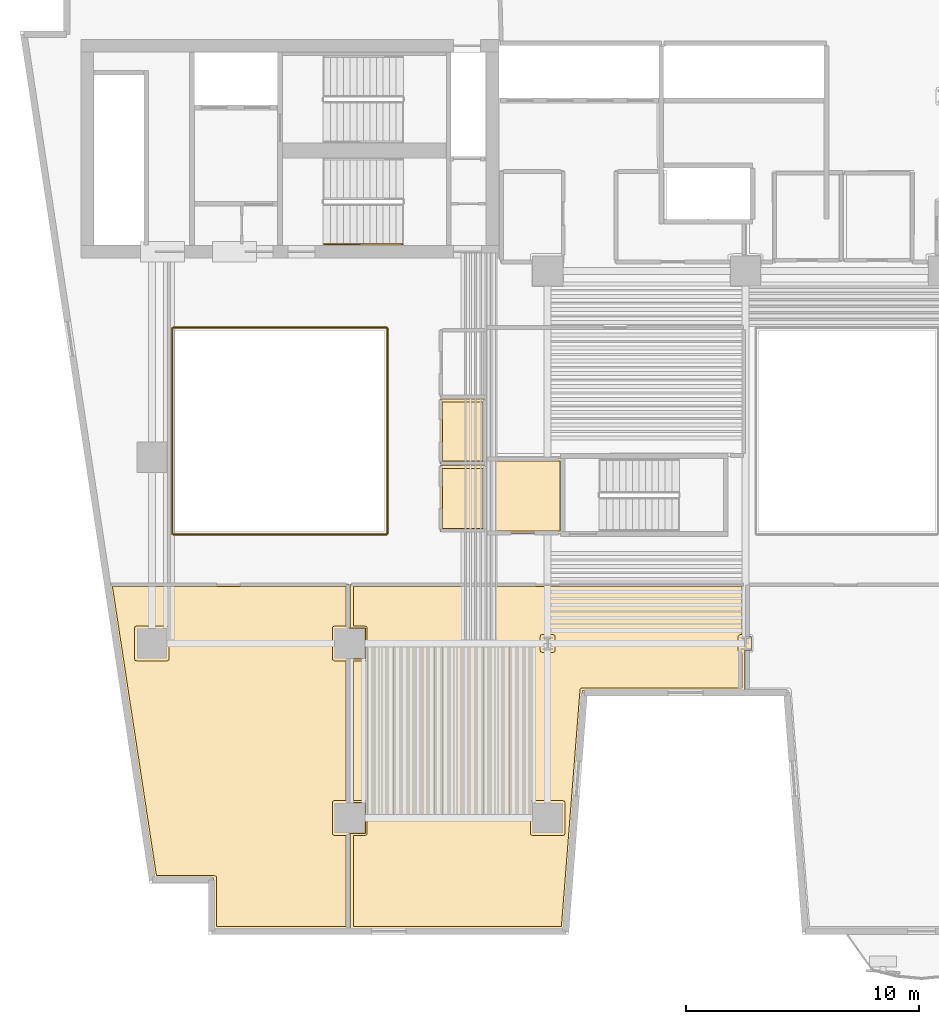
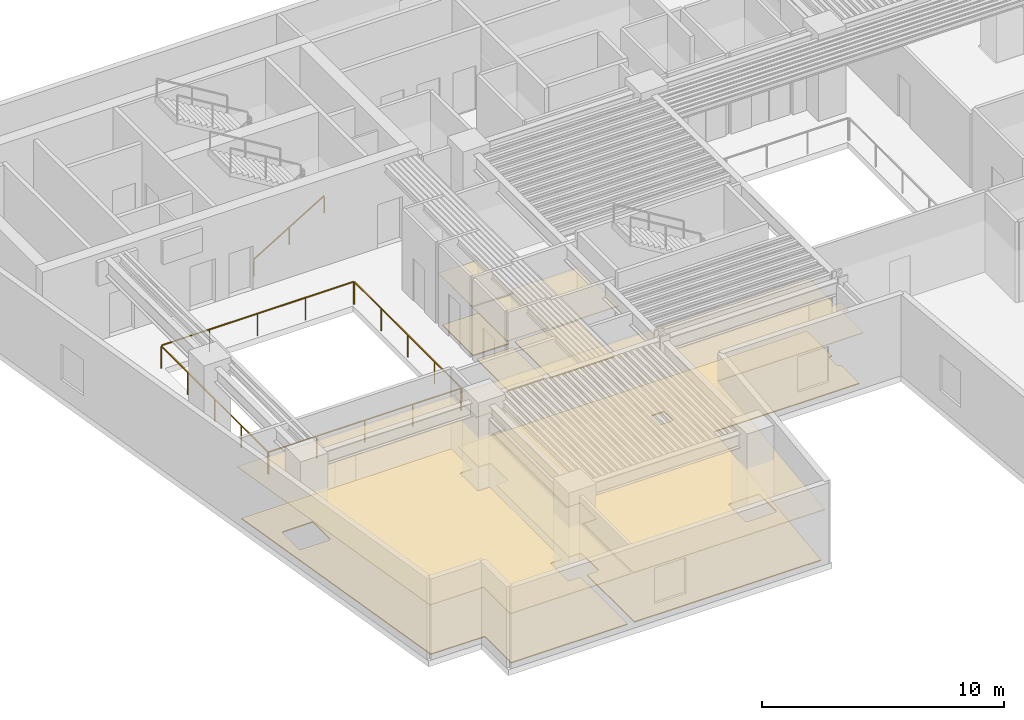
# One storey, part 8 of 12: 10 coverings, 5 railings.
"""IFC4 building model written with IfcOpenShell, lengths in metres."""

from ifc_helpers import new_model, si_unit, direction, frame, origin, origin_2d, place, context, subcontext, project, spatial, polyline, rectangle, outline, extrude, material, layer, layer_set, type_object, element, save


model = new_model("IFC4")

# Units and contexts
model_context = context("Model", 3, precision=1e-05, world=origin(), true_north=direction((0.0, 1.0)))
body_context = subcontext(model_context, "Body", "Model", "MODEL_VIEW")
ifc_project = project(units=[si_unit("LENGTHUNIT", "METRE"), si_unit("AREAUNIT", "SQUARE_METRE"), si_unit("VOLUMEUNIT", "CUBIC_METRE"), si_unit("PLANEANGLEUNIT", "RADIAN"), si_unit("MASSUNIT", "GRAM", prefix="KILO")], contexts=[model_context])

# Site, building, storey
site_placement = place(None, origin())
site = spatial("IfcSite", under=ifc_project, at=site_placement, CompositionType="ELEMENT")
building_placement = place(site_placement, origin())
building = spatial("IfcBuilding", under=site, at=building_placement, Name="Caeloran Harvest Quay", CompositionType="ELEMENT")
storey_placement = place(building_placement, frame((0.0, 0.0, 31.39990234375)))
storey = spatial("IfcBuildingStorey", under=building, at=storey_placement, Name="L07", CompositionType="ELEMENT", Elevation=31.39990234375)

# Coverings
ifc_material_1 = material(Name="Perforated Mineral-Fibre Acoustic Ceiling Tile", Category="ceiling")
ifc_layer_1 = layer(ifc_material_1, 0.0400390625, Name="Perforated Mineral-Fibre Acoustic Ceiling Tile")
ifc_layer_set_1 = layer_set([ifc_layer_1], Name="Perforated Mineral-Fibre Acoustic Ceiling Tile")
covering_type_1 = type_object("IfcCoveringType", Name="COV-CEILING-ACOUSTIC", PredefinedType="CEILING", material=ifc_layer_set_1)
covering_1_placement = place(storey_placement, frame((0.0, 0.0, 2.60009765625)))
element("IfcCovering", 1, at=covering_1_placement, inside=storey, type_object=covering_type_1, Name="L07 Female Washroom WC Acoustic Ceiling", PredefinedType="CEILING", context=body_context, shape_type="SweptSolid", body=[
    extrude(outline(polyline([(22.840087890625, 22.7099609375), (20.8701171875, 22.7099609375), (20.8701171875, 25.489990234375), (22.840087890625, 25.489990234375), (22.840087890625, 22.7099609375)])), origin(), (0.0, 0.0, 1.0), 0.0400390625),
])
covering_2_placement = place(storey_placement, frame((0.0, 0.0, 2.60009765625)))
element("IfcCovering", 2, at=covering_2_placement, inside=storey, type_object=covering_type_1, Name="L07 Accessible Unisex Washroom WC Acoustic Ceiling", PredefinedType="CEILING", context=body_context, shape_type="SweptSolid", body=[
    extrude(outline(polyline([(22.840087890625, 19.81005859375), (20.8701171875, 19.81005859375), (20.8701171875, 22.639892578125), (22.840087890625, 22.639892578125), (22.840087890625, 19.81005859375)])), origin(), (0.0, 0.0, 1.0), 0.0400390625),
])
covering_3_placement = place(storey_placement, frame((0.0, 0.0, 2.60009765625)))
element("IfcCovering", 3, at=covering_3_placement, inside=storey, type_object=covering_type_1, Name="Aeroponic Root-Mist Growing Chamber Acoustic Ceiling", PredefinedType="CEILING", context=body_context, shape_type="SweptSolid", body=[
    extrude(outline(polyline([(17.669921875, 6.830078125), (16.9599609375, 6.830078125), (16.9599609375, 2.719970703125), (11.156982421875, 2.719970703125), (11.156982421875, 4.919921875), (8.59130859375, 4.919921875), (6.668701171875, 17.56005859375), (16.9599609375, 17.56005859375), (16.9599609375, 15.669921875), (17.669921875, 15.669921875), (17.669921875, 14.330078125), (16.9599609375, 14.330078125), (16.9599609375, 8.169921875), (17.669921875, 8.169921875), (17.669921875, 6.830078125)])), origin(), (0.0, 0.0, 1.0), 0.0400390625),
])
covering_4_placement = place(storey_placement, frame((0.0, 0.0, 2.60009765625)))
element("IfcCovering", 4, at=covering_4_placement, inside=storey, type_object=covering_type_1, Name="Seedling Nursery Room Acoustic Ceiling", PredefinedType="CEILING", context=body_context, shape_type="SweptSolid", body=[
    extrude(outline(polyline([(16.330078125, 8.169921875), (17.0400390625, 8.169921875), (17.0400390625, 14.330078125), (16.330078125, 14.330078125), (16.330078125, 15.669921875), (17.0400390625, 15.669921875), (17.0400390625, 17.56005859375), (33.9599609375, 17.56005859375), (33.9599609375, 15.304443359375), (34.2470703125, 15.304443359375), (34.2470703125, 14.695556640625), (33.9599609375, 14.695556640625), (33.9599609375, 12.969970703125), (26.99951171875, 12.969970703125), (26.199462890625, 2.719970703125), (17.0400390625, 2.719970703125), (17.0400390625, 6.830078125), (16.330078125, 6.830078125), (16.330078125, 8.169921875)])), origin(), (0.0, 0.0, 1.0), 0.0400390625),
])
covering_5_placement = place(storey_placement, frame((0.0, 0.0, 2.60009765625)))
element("IfcCovering", 5, at=covering_5_placement, inside=storey, type_object=covering_type_1, Name="Agronomist Office Acoustic Ceiling", PredefinedType="CEILING", context=body_context, shape_type="SweptSolid", body=[
    extrude(outline(polyline([(26.139892578125, 22.9599609375), (26.139892578125, 19.7099609375), (22.8701171875, 19.7099609375), (22.8701171875, 22.9599609375), (26.139892578125, 22.9599609375)])), origin(), (0.0, 0.0, 1.0), 0.0400390625),
])
ifc_material_2 = material(Name="Calcium-Sulphate Raised Access Floor and Terrazzo Finish", Category="flooring")
ifc_layer_2 = layer(ifc_material_2, 0.050048828125, Name="Calcium-Sulphate Raised Access Floor and Terrazzo Finish")
ifc_layer_set_2 = layer_set([ifc_layer_2], Name="Calcium-Sulphate Raised Access Floor and Terrazzo Finish")
covering_type_2 = type_object("IfcCoveringType", Name="COV-FLOOR-RAISED", PredefinedType="FLOORING", material=ifc_layer_set_2)
covering_6_placement = place(storey_placement, origin())
element("IfcCovering", 6, at=covering_6_placement, inside=storey, type_object=covering_type_2, Name="L07 Female Washroom WC Raised Finish Flooring", PredefinedType="FLOORING", context=body_context, shape_type="SweptSolid", body=[
    extrude(outline(polyline([(22.719970703125, 22.830078125), (20.989990234375, 22.830078125), (20.989990234375, 25.3701171875), (22.719970703125, 25.3701171875), (22.719970703125, 22.830078125)])), origin(), (0.0, 0.0, 1.0), 0.050048828125),
])
covering_7_placement = place(storey_placement, origin())
element("IfcCovering", 7, at=covering_7_placement, inside=storey, type_object=covering_type_2, Name="L07 Accessible Unisex Washroom WC Raised Finish Flooring", PredefinedType="FLOORING", context=body_context, shape_type="SweptSolid", body=[
    extrude(outline(polyline([(22.719970703125, 19.929931640625), (20.989990234375, 19.929931640625), (20.989990234375, 22.52001953125), (22.719970703125, 22.52001953125), (22.719970703125, 19.929931640625)])), origin(), (0.0, 0.0, 1.0), 0.050048828125),
])
covering_8_placement = place(storey_placement, origin())
element("IfcCovering", 8, at=covering_8_placement, inside=storey, type_object=covering_type_2, Name="Aeroponic Root-Mist Growing Chamber Raised Finish Flooring", PredefinedType="FLOORING", context=body_context, shape_type="SweptSolid", body=[
    extrude(outline(polyline([(16.840087890625, 17.43994140625), (16.840087890625, 15.7451171875), (16.3271484375, 15.74462890625), (16.273193359375, 15.7158203125), (16.2548828125, 15.6650390625), (16.260986328125, 14.304443359375), (16.3271484375, 14.25537109375), (16.840087890625, 14.2548828125), (16.840087890625, 8.2451171875), (16.3271484375, 8.24462890625), (16.273193359375, 8.2158203125), (16.2548828125, 8.1650390625), (16.260986328125, 6.804443359375), (16.3271484375, 6.75537109375), (16.840087890625, 6.7548828125), (16.840087890625, 2.840087890625), (11.277099609375, 2.840087890625), (11.277099609375, 4.9599609375), (11.247802734375, 5.021728515625), (8.694580078125, 5.0400390625), (6.80810546875, 17.43994140625), (16.840087890625, 17.43994140625)]), holes=[polyline([(9.2451171875, 15.6650390625), (9.2216796875, 15.7216796875), (9.1650390625, 15.7451171875), (7.8349609375, 15.7451171875), (7.7783203125, 15.7216796875), (7.7548828125, 15.6650390625), (7.7548828125, 14.3349609375), (7.7783203125, 14.2783203125), (7.8349609375, 14.2548828125), (9.1650390625, 14.2548828125), (9.2216796875, 14.2783203125), (9.2451171875, 14.3349609375), (9.2451171875, 15.6650390625)])]), origin(), (0.0, 0.0, 1.0), 0.050048828125),
])
covering_9_placement = place(storey_placement, origin())
element("IfcCovering", 9, at=covering_9_placement, inside=storey, type_object=covering_type_2, Name="Seedling Nursery Room Raised Finish Flooring", PredefinedType="FLOORING", context=body_context, shape_type="SweptSolid", body=[
    extrude(outline(polyline([(33.840087890625, 17.43994140625), (33.840087890625, 15.37939453125), (33.72021484375, 15.3701171875), (33.677978515625, 15.299560546875), (33.679443359375, 14.684814453125), (33.727294921875, 14.626708984375), (33.840087890625, 14.62060546875), (33.840087890625, 13.090087890625), (26.96240234375, 13.090087890625), (26.891357421875, 13.046630859375), (26.08837890625, 2.840087890625), (17.159912109375, 2.840087890625), (17.159912109375, 6.7548828125), (17.6728515625, 6.75537109375), (17.726806640625, 6.7841796875), (17.7451171875, 6.8349609375), (17.739013671875, 8.195556640625), (17.6728515625, 8.24462890625), (17.159912109375, 8.2451171875), (17.159912109375, 14.2548828125), (17.6728515625, 14.25537109375), (17.726806640625, 14.2841796875), (17.7451171875, 14.3349609375), (17.739013671875, 15.695556640625), (17.6728515625, 15.74462890625), (17.159912109375, 15.7451171875), (17.159912109375, 17.43994140625), (33.840087890625, 17.43994140625)]), holes=[polyline([(26.2451171875, 8.1650390625), (26.2216796875, 8.2216796875), (26.1650390625, 8.2451171875), (24.8349609375, 8.2451171875), (24.7783203125, 8.2216796875), (24.7548828125, 8.1650390625), (24.7548828125, 6.8349609375), (24.7783203125, 6.7783203125), (24.8349609375, 6.7548828125), (26.1650390625, 6.7548828125), (26.2216796875, 6.7783203125), (26.2451171875, 6.8349609375), (26.2451171875, 8.1650390625)]), polyline([(25.822021484375, 14.700439453125), (25.8037109375, 15.350341796875), (25.749755859375, 15.379150390625), (25.258056640625, 15.37939453125), (25.201416015625, 15.356201171875), (25.177978515625, 15.299560546875), (25.177978515625, 14.700439453125), (25.201416015625, 14.643798828125), (25.258056640625, 14.62060546875), (25.741943359375, 14.62060546875), (25.798583984375, 14.643798828125), (25.822021484375, 14.700439453125)])]), origin(), (0.0, 0.0, 1.0), 0.050048828125),
])
covering_10_placement = place(storey_placement, origin())
element("IfcCovering", 10, at=covering_10_placement, inside=storey, type_object=covering_type_2, Name="Agronomist Office Raised Finish Flooring", PredefinedType="FLOORING", context=body_context, shape_type="SweptSolid", body=[
    extrude(outline(polyline([(26.02001953125, 22.840087890625), (26.02001953125, 19.830078125), (22.989990234375, 19.830078125), (22.989990234375, 22.840087890625), (26.02001953125, 22.840087890625)])), origin(), (0.0, 0.0, 1.0), 0.050048828125),
])

# Railings
ifc_material_3 = material(Name="Powder-Coated Steel Post and Laminated Glass Guardrail", Category="steel")
ifc_layer_3 = layer(ifc_material_3, 0.06005859375, Name="Powder-Coated Steel Post and Laminated Glass Guardrail")
ifc_layer_set_3 = layer_set([ifc_layer_3], Name="Powder-Coated Steel Post and Laminated Glass Guardrail")
railing_type_1 = type_object("IfcRailingType", Name="GUARD-ATRIUM-1150", PredefinedType="GUARDRAIL", material=ifc_layer_set_3)
railing_1_placement = place(storey_placement, frame((9.412109375, 19.679931640625, 0.0)))
element("IfcRailing", 11, at=railing_1_placement, inside=storey, type_object=railing_type_1, Name="L07 Skylit Atrium Void Perimeter Guardrail Seg 1", PredefinedType="GUARDRAIL", context=body_context, shape_type="SweptSolid", body=[
    extrude(rectangle(XDim=0.048095703125, YDim=0.048095703125, at=origin_2d()), frame((0.0, 0.0, 1.1259765625), z_axis=(1.0, 0.0, 0.0), x_axis=(0.0, 1.0, 0.0)), (0.0, 0.0, 1.0), 9.17578125),
    extrude(rectangle(XDim=0.0419921875, YDim=0.0419921875, at=origin_2d()), origin(), (0.0, 0.0, 1.0), 1.101806640625),
    extrude(rectangle(XDim=0.0419921875, YDim=0.0419921875, at=origin_2d()), frame((2.2939453125, 0.0, 0.0)), (0.0, 0.0, 1.0), 1.101806640625),
    extrude(rectangle(XDim=0.0419921875, YDim=0.0419921875, at=origin_2d()), frame((4.587890625, 0.0, 0.0)), (0.0, 0.0, 1.0), 1.101806640625),
    extrude(rectangle(XDim=0.0419921875, YDim=0.0419921875, at=origin_2d()), frame((6.8818359375, 0.0, 0.0)), (0.0, 0.0, 1.0), 1.101806640625),
    extrude(rectangle(XDim=0.0419921875, YDim=0.0419921875, at=origin_2d()), frame((9.17578125, 0.0, 0.0)), (0.0, 0.0, 1.0), 1.101806640625),
])
railing_2_placement = place(storey_placement, frame((18.6201171875, 19.7119140625, 0.0)))
element("IfcRailing", 12, at=railing_2_placement, inside=storey, type_object=railing_type_1, Name="L07 Skylit Atrium Void Perimeter Guardrail Seg 2", PredefinedType="GUARDRAIL", context=body_context, shape_type="SweptSolid", body=[
    extrude(rectangle(XDim=0.048095703125, YDim=0.048095703125, at=origin_2d()), frame((0.0, 0.0, 1.1259765625), z_axis=(0.0, 1.0, 0.0), x_axis=(-1.0, 0.0, 0.0)), (0.0, 0.0, 1.0), 8.826171875),
    extrude(rectangle(XDim=0.0419921875, YDim=0.0419921875, at=origin_2d()), origin(), (0.0, 0.0, 1.0), 1.101806640625),
    extrude(rectangle(XDim=0.0419921875, YDim=0.0419921875, at=origin_2d()), frame((0.0, 2.20654296875, 0.0)), (0.0, 0.0, 1.0), 1.101806640625),
    extrude(rectangle(XDim=0.0419921875, YDim=0.0419921875, at=origin_2d()), frame((0.0, 4.4130859375, 0.0)), (0.0, 0.0, 1.0), 1.101806640625),
    extrude(rectangle(XDim=0.0419921875, YDim=0.0419921875, at=origin_2d()), frame((0.0, 6.61962890625, 0.0)), (0.0, 0.0, 1.0), 1.101806640625),
    extrude(rectangle(XDim=0.0419921875, YDim=0.0419921875, at=origin_2d()), frame((0.0, 8.826171875, 0.0)), (0.0, 0.0, 1.0), 1.101806640625),
])
railing_3_placement = place(storey_placement, frame((18.587890625, 28.570068359375, 0.0)))
element("IfcRailing", 13, at=railing_3_placement, inside=storey, type_object=railing_type_1, Name="L07 Skylit Atrium Void Perimeter Guardrail Seg 3", PredefinedType="GUARDRAIL", context=body_context, shape_type="SweptSolid", body=[
    extrude(rectangle(XDim=0.048095703125, YDim=0.048095703125, at=origin_2d()), frame((0.0, 0.0, 1.1259765625), z_axis=(-1.0, 0.0, 0.0), x_axis=(0.0, -1.0, 0.0)), (0.0, 0.0, 1.0), 9.17578125),
    extrude(rectangle(XDim=0.0419921875, YDim=0.0419921875, at=origin_2d()), origin(), (0.0, 0.0, 1.0), 1.101806640625),
    extrude(rectangle(XDim=0.0419921875, YDim=0.0419921875, at=origin_2d()), frame((-2.2939453125, 0.0, 0.0)), (0.0, 0.0, 1.0), 1.101806640625),
    extrude(rectangle(XDim=0.0419921875, YDim=0.0419921875, at=origin_2d()), frame((-4.587890625, 0.0, 0.0)), (0.0, 0.0, 1.0), 1.101806640625),
    extrude(rectangle(XDim=0.0419921875, YDim=0.0419921875, at=origin_2d()), frame((-6.8818359375, 0.0, 0.0)), (0.0, 0.0, 1.0), 1.101806640625),
    extrude(rectangle(XDim=0.0419921875, YDim=0.0419921875, at=origin_2d()), frame((-9.17578125, 0.0, 0.0)), (0.0, 0.0, 1.0), 1.101806640625),
])
railing_4_placement = place(storey_placement, frame((9.3798828125, 28.5380859375, 0.0)))
element("IfcRailing", 14, at=railing_4_placement, inside=storey, type_object=railing_type_1, Name="L07 Skylit Atrium Void Perimeter Guardrail Seg 4", PredefinedType="GUARDRAIL", context=body_context, shape_type="SweptSolid", body=[
    extrude(rectangle(XDim=0.048095703125, YDim=0.048095703125, at=origin_2d()), frame((0.0, 0.0, 1.1259765625), z_axis=(0.0, -1.0, 0.0), x_axis=(1.0, 0.0, 0.0)), (0.0, 0.0, 1.0), 8.826171875),
    extrude(rectangle(XDim=0.0419921875, YDim=0.0419921875, at=origin_2d()), origin(), (0.0, 0.0, 1.0), 1.101806640625),
    extrude(rectangle(XDim=0.0419921875, YDim=0.0419921875, at=origin_2d()), frame((0.0, -2.20654296875, 0.0)), (0.0, 0.0, 1.0), 1.101806640625),
    extrude(rectangle(XDim=0.0419921875, YDim=0.0419921875, at=origin_2d()), frame((0.0, -4.4130859375, 0.0)), (0.0, 0.0, 1.0), 1.101806640625),
    extrude(rectangle(XDim=0.0419921875, YDim=0.0419921875, at=origin_2d()), frame((0.0, -6.61962890625, 0.0)), (0.0, 0.0, 1.0), 1.101806640625),
    extrude(rectangle(XDim=0.0419921875, YDim=0.0419921875, at=origin_2d()), frame((0.0, -8.826171875, 0.0)), (0.0, 0.0, 1.0), 1.101806640625),
])
ifc_material_4 = material(Name="Brushed Stainless Steel Grade 304", Category="steel")
ifc_layer_4 = layer(ifc_material_4, 0.050048828125, Name="Brushed Stainless Steel Grade 304")
ifc_layer_set_4 = layer_set([ifc_layer_4], Name="Brushed Stainless Steel Grade 304")
railing_type_2 = type_object("IfcRailingType", Name="STAIR-HANDRAIL-900", PredefinedType="HANDRAIL", material=ifc_layer_set_4)
railing_5_placement = place(storey_placement, frame((15.89990234375, 32.14990234375, 0.16943359375)))
element("IfcRailing", 15, at=railing_5_placement, inside=storey, type_object=railing_type_2, Name="L07 ST-C2 stair handrail 1", PredefinedType="HANDRAIL", context=body_context, shape_type="SweptSolid", body=[
    extrude(rectangle(XDim=0.048095703125, YDim=0.048095703125, at=origin_2d()), frame((0.0, 0.0, 0.8759765625), z_axis=(0.855836976705, 0.0, 0.517245656632), x_axis=(0.0, 1.0, 0.0)), (0.0, 0.0, 1.0), 3.926025390625),
    extrude(rectangle(XDim=0.0419921875, YDim=0.0419921875, at=origin_2d()), origin(), (0.0, 0.0, 1.0), 0.851806640625),
    extrude(rectangle(XDim=0.0419921875, YDim=0.0419921875, at=origin_2d()), frame((1.68017578125, 0.0, 1.015380859375)), (0.0, 0.0, 1.0), 0.851806640625),
    extrude(rectangle(XDim=0.0419921875, YDim=0.0419921875, at=origin_2d()), frame((3.360107421875, 0.0, 2.03076171875)), (0.0, 0.0, 1.0), 0.851806640625),
])

save(model, "model.ifc")
